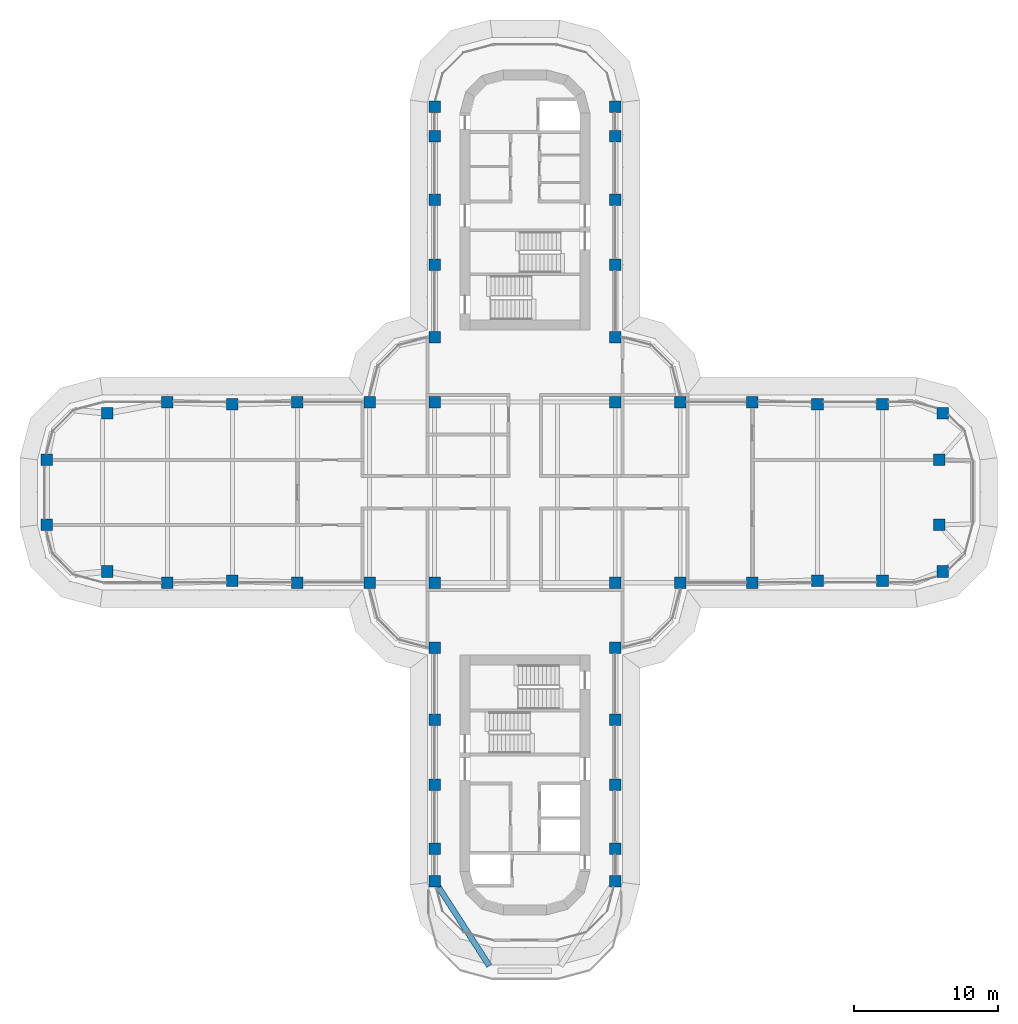
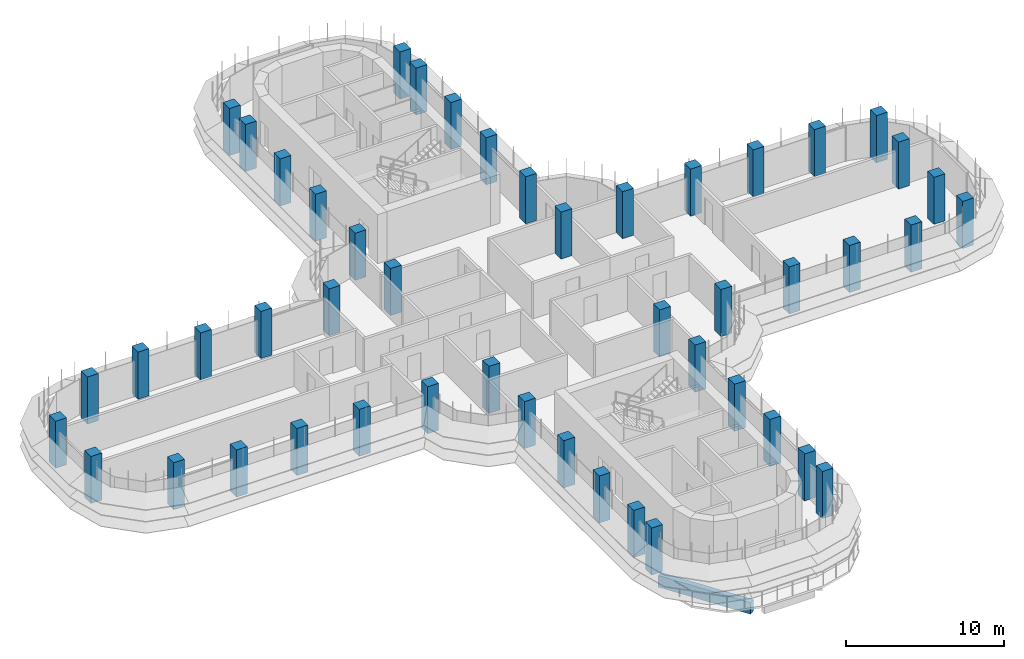
# One storey, part 1 of 20: 48 columns, 1 beam.
"""IFC4 building model written with IfcOpenShell, lengths in metres."""

import ifcopenshell
import ifcopenshell.guid

model = None  # the IFC model being written
_history = None  # IfcOwnerHistory: only IFC2X3 demands one
_inside = {}  # id of a spatial element -> (the spatial element, [elements in it])
_under = {}  # id of a project, library or spatial element -> (it, [spatial elements below it])
_declared = {}  # id of a project -> (the project, [libraries it declares])
_typed = {}  # id of a type object -> (the type object, [elements of that type])
_made_of = {}  # id of a material, layer set ... -> (it, [elements and type objects made of it])


def new_model(schema):
    """Start an empty IFC model of exactly this schema.

    Asked for "IFC4X3", IfcOpenShell would pick the latest addendum, in which some entities
    have other attributes; the version numbers below select the first issue.
    IFC2X3 requires an IfcOwnerHistory on every rooted entity: one is made here for all.
    """
    global model, _history
    if schema == "IFC4X3":
        model = ifcopenshell.file(schema_version=(4, 3, 0, 0))
    else:
        model = ifcopenshell.file(schema=schema)
    _inside.clear()
    _under.clear()
    _declared.clear()
    _typed.clear()
    _made_of.clear()
    _history = None
    if model.schema == "IFC2X3":
        org = make("IfcOrganization", Name="unknown")
        user = make(
            "IfcPersonAndOrganization",
            ThePerson=make("IfcPerson", FamilyName="unknown"),
            TheOrganization=org,
        )
        app = make(
            "IfcApplication",
            ApplicationDeveloper=org,
            Version="unknown",
            ApplicationFullName="unknown",
            ApplicationIdentifier="unknown",
        )
        _history = make(
            "IfcOwnerHistory",
            OwningUser=user,
            OwningApplication=app,
            ChangeAction="ADDED",
            CreationDate=0,
        )
    return model


def make(cls, **values):
    """One entity of the class cls with the attributes given. An attribute that is None is left unset."""
    return model.create_entity(
        cls, **{name: value for name, value in values.items() if value is not None}
    )


def rooted(cls, **values):
    """An entity with a GlobalId (a new one), such as an element, a storey or a relation."""
    return make(cls, GlobalId=ifcopenshell.guid.new(), OwnerHistory=_history, **values)


def si_unit(unit_type, name, prefix=None):
    """IfcSIUnit, for example si_unit("LENGTHUNIT", "METRE", prefix="MILLI")."""
    return make("IfcSIUnit", UnitType=unit_type, Prefix=prefix, Name=name)


def assignment(units):
    """IfcUnitAssignment: the units of a project."""
    return None if units is None else make("IfcUnitAssignment", Units=units)


def point(xyz):
    """IfcCartesianPoint."""
    return None if xyz is None else make("IfcCartesianPoint", Coordinates=xyz)


def direction(xyz):
    """IfcDirection."""
    return None if xyz is None else make("IfcDirection", DirectionRatios=xyz)


def frame(location, z_axis=None, x_axis=None):
    """IfcAxis2Placement3D, a coordinate frame: its origin and axes. An axis left out is left unset."""
    return make(
        "IfcAxis2Placement3D",
        Location=point(location),
        Axis=direction(z_axis),
        RefDirection=direction(x_axis),
    )


def frame_2d(location, x_axis=None):
    """IfcAxis2Placement2D, a coordinate frame in the plane: its origin and x axis."""
    return make(
        "IfcAxis2Placement2D", Location=point(location), RefDirection=direction(x_axis)
    )


def origin():
    """The frame at (0, 0, 0) with its axes left unset."""
    return frame((0.0, 0.0, 0.0))


def origin_2d():
    """The frame at (0, 0) in the plane with its x axis left unset."""
    return frame_2d((0.0, 0.0))


def place(relative_to, where):
    """IfcLocalPlacement: puts the frame where relative to a parent placement (None: the world)."""
    return make(
        "IfcLocalPlacement", PlacementRelTo=relative_to, RelativePlacement=where
    )


def context(
    kind, dimensions, precision=None, world=None, true_north=None, identifier=None
):
    """IfcGeometricRepresentationContext, for example the 3D "Model" context."""
    return make(
        "IfcGeometricRepresentationContext",
        ContextIdentifier=identifier,
        ContextType=kind,
        CoordinateSpaceDimension=dimensions,
        Precision=precision,
        WorldCoordinateSystem=world,
        TrueNorth=true_north,
    )


def subcontext(parent, identifier, kind, view, scale=None):
    """IfcGeometricRepresentationSubContext, for example "Body" below "Model"."""
    return make(
        "IfcGeometricRepresentationSubContext",
        ContextIdentifier=identifier,
        ContextType=kind,
        ParentContext=parent,
        TargetScale=scale,
        TargetView=view,
    )


def project(units=None, contexts=None):
    """IfcProject with its units and contexts."""
    return rooted(
        "IfcProject",
        Name="project",
        RepresentationContexts=contexts,
        UnitsInContext=assignment(units),
    )


def spatial(cls, under=None, at=None, **own):
    """A site, building, storey or space (cls), placed at a placement, below another one or the project."""
    s = rooted(cls, ObjectPlacement=at, **own)
    if under is not None:
        _under.setdefault(under.id(), (under, []))[1].append(s)
    return s


def profile(cls, at=None, kind="AREA", **sizes):
    """A parametric profile (cls). Its sizes go by their IFC names, for example OverallWidth=200.0."""
    return make(cls, ProfileType=kind, Position=at, **sizes)


def rectangle(**sizes):
    """IfcRectangleProfileDef."""
    return profile("IfcRectangleProfileDef", **sizes)


def extrude(swept, where, along, depth):
    """IfcExtrudedAreaSolid: the profile swept, set in the frame where, extruded along a direction by depth."""
    return make(
        "IfcExtrudedAreaSolid",
        SweptArea=swept,
        Position=where,
        ExtrudedDirection=direction(along),
        Depth=depth,
    )


def shape(context_of_items, identifier, shape_type, items):
    """IfcShapeRepresentation: the items that make up one representation, for example the "Body"."""
    return make(
        "IfcShapeRepresentation",
        ContextOfItems=context_of_items,
        RepresentationIdentifier=identifier,
        RepresentationType=shape_type,
        Items=items,
    )


def material(Name=None, Category=None):
    """IfcMaterial."""
    return make("IfcMaterial", Name=Name, Category=Category)


def material_profile(
    of_material, cross_section, Name=None, Category=None, Priority=None
):
    """IfcMaterialProfile: a cross section and its material."""
    return make(
        "IfcMaterialProfile",
        Name=Name,
        Material=of_material,
        Profile=cross_section,
        Priority=Priority,
        Category=Category,
    )


def profile_set(profiles, Name=None, composite=None):
    """IfcMaterialProfileSet."""
    return make(
        "IfcMaterialProfileSet",
        Name=Name,
        MaterialProfiles=profiles,
        CompositeProfile=composite,
    )


def made_of(thing, what):
    """Note that an element or type object is made of a material, layer set ...; save() writes the relation."""
    if what is not None:
        _made_of.setdefault(what.id(), (what, []))[1].append(thing)
    return thing


def type_object(cls, material=None, **own):
    """A type object (cls), such as IfcWallType, which elements share."""
    return made_of(rooted(cls, **own), material)


def element(
    cls,
    number,
    at=None,
    inside=None,
    cuts=None,
    type_object=None,
    material=None,
    context=None,
    identifier="Body",
    shape_type=None,
    held_by="IfcProductDefinitionShape",
    body=None,
    shapes=None,
    **own,
):
    """One element of the class cls, such as IfcWall. Its Tag is "e" and its number.

    at: its placement. inside: the storey or other place that contains it. cuts: it is an
    opening in that element (IfcRelVoidsElement). A single representation is given by context,
    identifier, shape_type and body (its items); several are given by shapes. held_by: the class
    of the entity that holds the representations. save() writes the other relations.
    """
    e = rooted(cls, Tag="e%d" % number, ObjectPlacement=at, **own)
    if body is not None:
        shapes = [shape(context, identifier, shape_type, body)]
    if shapes is not None:
        e.Representation = make(held_by, Representations=shapes)
    if inside is not None:
        _inside.setdefault(inside.id(), (inside, []))[1].append(e)
    if cuts is not None:
        rooted(
            "IfcRelVoidsElement", RelatingBuildingElement=cuts, RelatedOpeningElement=e
        )
    if type_object is not None:
        _typed.setdefault(type_object.id(), (type_object, []))[1].append(e)
    return made_of(e, material)


def aggregate(whole, parts):
    """IfcRelAggregates: a whole, such as a stair, and the parts it consists of."""
    return rooted("IfcRelAggregates", RelatingObject=whole, RelatedObjects=parts)


def save(model, path):
    """Write the relations noted so far, then the file.

    IfcRelAggregates (storeys below a building ...), IfcRelContainedInSpatialStructure (elements
    in a storey), IfcRelDefinesByType, IfcRelAssociatesMaterial and IfcRelDeclares: one each for
    every whole, place, type object, material and project.
    """
    for whole, parts in _under.values():
        aggregate(whole, parts)
    for where, things in _inside.values():
        rooted(
            "IfcRelContainedInSpatialStructure",
            RelatedElements=things,
            RelatingStructure=where,
        )
    for kind, things in _typed.values():
        rooted("IfcRelDefinesByType", RelatedObjects=things, RelatingType=kind)
    for what, things in _made_of.values():
        rooted("IfcRelAssociatesMaterial", RelatedObjects=things, RelatingMaterial=what)
    for by, libraries in _declared.values():
        rooted("IfcRelDeclares", RelatingContext=by, RelatedDefinitions=libraries)
    model.write(path)


model = new_model("IFC4")

# Units and contexts
model_context = context("Model", 3, precision=1e-05, world=origin(), true_north=direction((0.0, 1.0)))
body_context = subcontext(model_context, "Body", "Model", "MODEL_VIEW")
ifc_project = project(units=[si_unit("LENGTHUNIT", "METRE"), si_unit("AREAUNIT", "SQUARE_METRE"), si_unit("VOLUMEUNIT", "CUBIC_METRE"), si_unit("PLANEANGLEUNIT", "RADIAN"), si_unit("MASSUNIT", "GRAM", prefix="KILO")], contexts=[model_context])

# Site, building, storey
site_placement = place(None, origin())
site = spatial("IfcSite", under=ifc_project, at=site_placement, CompositionType="ELEMENT")
building_placement = place(site_placement, origin())
building = spatial("IfcBuilding", under=site, at=building_placement, Name="Zarbagh Exchange Tower", CompositionType="ELEMENT")
storey_placement = place(building_placement, frame((0.0, 0.0, 156.199951171875)))
storey = spatial("IfcBuildingStorey", under=building, at=storey_placement, Name="L37", CompositionType="ELEMENT", Elevation=156.199951171875)

# Columns
ifc_material = material(Name="Concrete C50/60", Category="concrete")
ifc_material_profile_1 = material_profile(ifc_material, rectangle(XDim=0.800048828125, YDim=0.800048828125, at=origin_2d()), Name="RC column 800 x 800 C50/60")
ifc_profile_set_1 = profile_set([ifc_material_profile_1], Name="Concrete C50/60")
column_type = type_object("IfcColumnType", Name="RC column 800 x 800 C50/60", PredefinedType="COLUMN", material=ifc_profile_set_1)
for number, where, z_axis, x_axis, name in (
    (1, (-33.110107421875, -2.25, 0.0), (0.0, 0.0, 1.0), (1.0, 0.0, 0.0), "C4 10/S"),
    (2, (-33.110107421875, 2.25, 0.0), (0.0, 0.0, 1.0), (1.0, 0.0, 0.0), "C4 10/T"),
    (3, (-28.907958984375, -5.47509765625, 0.0), (0.0, 0.0, 1.0), (1.0, 0.0, 0.0), "C4 11/R"),
    (4, (-28.907958984375, 5.47509765625, 0.0), (0.0, 0.0, 1.0), (1.0, 0.0, 0.0), "C4 11/U"),
    (5, (-24.75, -6.25, 0.0), (0.0, 0.0, 1.0), (1.0, 0.0, 0.0), "C4 12/R"),
    (6, (-24.75, 6.25, 0.0), (0.0, 0.0, 1.0), (1.0, 0.0, 0.0), "C4 12/U"),
    (7, (-20.25, -6.110107421875, 0.0), (0.0, 0.0, 1.0), (1.0, 0.0, 0.0), "C4 13/R"),
    (8, (-20.25, 6.110107421875, 0.0), (0.0, 0.0, 1.0), (1.0, 0.0, 0.0), "C4 13/U"),
    (9, (-15.75, -6.25, 0.0), (0.0, 0.0, 1.0), (1.0, 0.0, 0.0), "C4 14/R"),
    (10, (-15.75, 6.25, 0.0), (0.0, 0.0, 1.0), (1.0, 0.0, 0.0), "C4 14/U"),
    (11, (-10.75, -6.25, 0.0), (0.0, 0.0, 1.0), (1.0, 0.0, 0.0), "C4 15/R"),
    (12, (-10.75, 6.25, 0.0), (0.0, 0.0, 1.0), (1.0, 0.0, 0.0), "C4 15/U"),
    (13, (-6.25, -26.89990234375, 0.0), (0.0, 0.0, 1.0), (1.0, 0.0, 0.0), "C4 16/L"),
    (14, (-6.25, -24.64990234375, 0.0), (0.0, 0.0, 1.0), (1.0, 0.0, 0.0), "C4 16/M"),
    (15, (-6.25, -20.25, 0.0), (0.0, 0.0, 1.0), (1.0, 0.0, 0.0), "C4 16/N"),
    (16, (-6.25, -15.75, 0.0), (0.0, 0.0, 1.0), (1.0, 0.0, 0.0), "C4 16/P"),
    (17, (-6.25, -10.75, 0.0), (0.0, 0.0, 1.0), (1.0, 0.0, 0.0), "C4 16/Q"),
    (18, (-6.25, -6.25, 0.0), (0.0, 0.0, 1.0), (1.0, 0.0, 0.0), "C4 16/R"),
    (19, (-6.25, 6.25, 0.0), (0.0, 0.0, 1.0), (1.0, 0.0, 0.0), "C4 16/U"),
    (20, (-6.25, 10.75, 0.0), (0.0, 0.0, 1.0), (1.0, 0.0, 0.0), "C4 16/V"),
    (21, (-6.25, 15.75, 0.0), (0.0, 0.0, 1.0), (1.0, 0.0, 0.0), "C4 16/W"),
    (22, (-6.25, 20.25, 0.0), (0.0, 0.0, 1.0), (1.0, 0.0, 0.0), "C4 16/X"),
    (23, (-6.25, 24.64990234375, 0.0), (0.0, 0.0, 1.0), (1.0, 0.0, 0.0), "C4 16/Y"),
    (24, (-6.25, 26.699951171875, 0.0), (0.0, 0.0, 1.0), (1.0, 0.0, 0.0), "C4 16/Z"),
    (25, (6.25, -26.89990234375, 0.0), (0.0, 0.0, 1.0), (1.0, 0.0, 0.0), "C4 19/L"),
    (26, (6.25, -24.64990234375, 0.0), (0.0, 0.0, 1.0), (1.0, 0.0, 0.0), "C4 19/M"),
    (27, (6.25, -20.25, 0.0), (0.0, 0.0, 1.0), (1.0, 0.0, 0.0), "C4 19/N"),
    (28, (6.25, -15.75, 0.0), (0.0, 0.0, 1.0), (1.0, 0.0, 0.0), "C4 19/P"),
    (29, (6.25, -10.75, 0.0), (0.0, 0.0, 1.0), (1.0, 0.0, 0.0), "C4 19/Q"),
    (30, (6.25, -6.25, 0.0), (0.0, 0.0, 1.0), (1.0, 0.0, 0.0), "C4 19/R"),
    (31, (6.25, 6.25, 0.0), (0.0, 0.0, 1.0), (1.0, 0.0, 0.0), "C4 19/U"),
    (32, (6.25, 10.75, 0.0), (0.0, 0.0, 1.0), (1.0, 0.0, 0.0), "C4 19/V"),
    (33, (6.25, 15.75, 0.0), (0.0, 0.0, 1.0), (1.0, 0.0, 0.0), "C4 19/W"),
    (34, (6.25, 20.25, 0.0), (0.0, 0.0, 1.0), (1.0, 0.0, 0.0), "C4 19/X"),
    (35, (6.25, 24.64990234375, 0.0), (0.0, 0.0, 1.0), (1.0, 0.0, 0.0), "C4 19/Y"),
    (36, (6.25, 26.699951171875, 0.0), (0.0, 0.0, 1.0), (1.0, 0.0, 0.0), "C4 19/Z"),
    (37, (10.75, -6.25, 0.0), (0.0, 0.0, 1.0), (1.0, 0.0, 0.0), "C4 20/R"),
    (38, (10.75, 6.25, 0.0), (0.0, 0.0, 1.0), (1.0, 0.0, 0.0), "C4 20/U"),
    (39, (15.75, -6.25, 0.0), (0.0, 0.0, 1.0), (1.0, 0.0, 0.0), "C4 21/R"),
    (40, (15.75, 6.25, 0.0), (0.0, 0.0, 1.0), (1.0, 0.0, 0.0), "C4 21/U"),
    (41, (20.25, -6.110107421875, 0.0), (0.0, 0.0, 1.0), (1.0, 0.0, 0.0), "C4 22/R"),
    (42, (20.25, 6.110107421875, 0.0), (0.0, 0.0, 1.0), (1.0, 0.0, 0.0), "C4 22/U"),
    (43, (24.75, -6.110107421875, 0.0), (0.0, 0.0, 1.0), (1.0, 0.0, 0.0), "C4 23/R"),
    (44, (24.75, 6.110107421875, 0.0), (0.0, 0.0, 1.0), (1.0, 0.0, 0.0), "C4 23/U"),
    (45, (28.907958984375, -5.47509765625, 0.0), (0.0, 0.0, 1.0), (1.0, 0.0, 0.0), "C4 24/R"),
    (46, (28.669921875, -2.25, 0.0), (0.0, 0.0, 1.0), (1.0, 0.0, 0.0), "C4 24/S"),
    (47, (28.669921875, 2.25, 0.0), (0.0, 0.0, 1.0), (1.0, 0.0, 0.0), "C4 24/T"),
    (48, (28.907958984375, 5.47509765625, 0.0), (0.0, 0.0, 1.0), (1.0, 0.0, 0.0), "C4 24/U"),
):
    element("IfcColumn", number, at=place(storey_placement, frame(where, z_axis=z_axis, x_axis=x_axis)), inside=storey, type_object=column_type, Name=name, PredefinedType="COLUMN", context=body_context, shape_type="SweptSolid", body=[
        extrude(rectangle(XDim=0.800048828125, YDim=0.800048828125, at=origin_2d()), origin(), (0.0, 0.0, 1.0), 3.650146484375),
    ])

# Beam
ifc_material_profile_2 = material_profile(ifc_material, rectangle(XDim=0.39990234375, YDim=0.89990234375, at=origin_2d()), Name="RC spandrel beam 400 x 900 C50/60")
ifc_profile_set_2 = profile_set([ifc_material_profile_2], Name="Concrete C50/60")
beam_type = type_object("IfcBeamType", Name="RC spandrel beam 400 x 900 C50/60", PredefinedType="SPANDREL", material=ifc_profile_set_2)
beam_placement = place(storey_placement, frame((-2.466552734375, -32.773681640625, -0.599853515625), z_axis=(-0.541527310734, 0.840683157753, 0.0), x_axis=(-0.840683157753, -0.541527310734, 0.0)))
element("IfcBeam", 49, at=beam_placement, inside=storey, type_object=beam_type, Name="RC spandrel beam", PredefinedType="SPANDREL", context=body_context, shape_type="SweptSolid", body=[
    extrude(rectangle(XDim=0.39990234375, YDim=0.89990234375, at=origin_2d()), origin(), (0.0, 0.0, 1.0), 6.586669921875),
])

save(model, "model.ifc")
